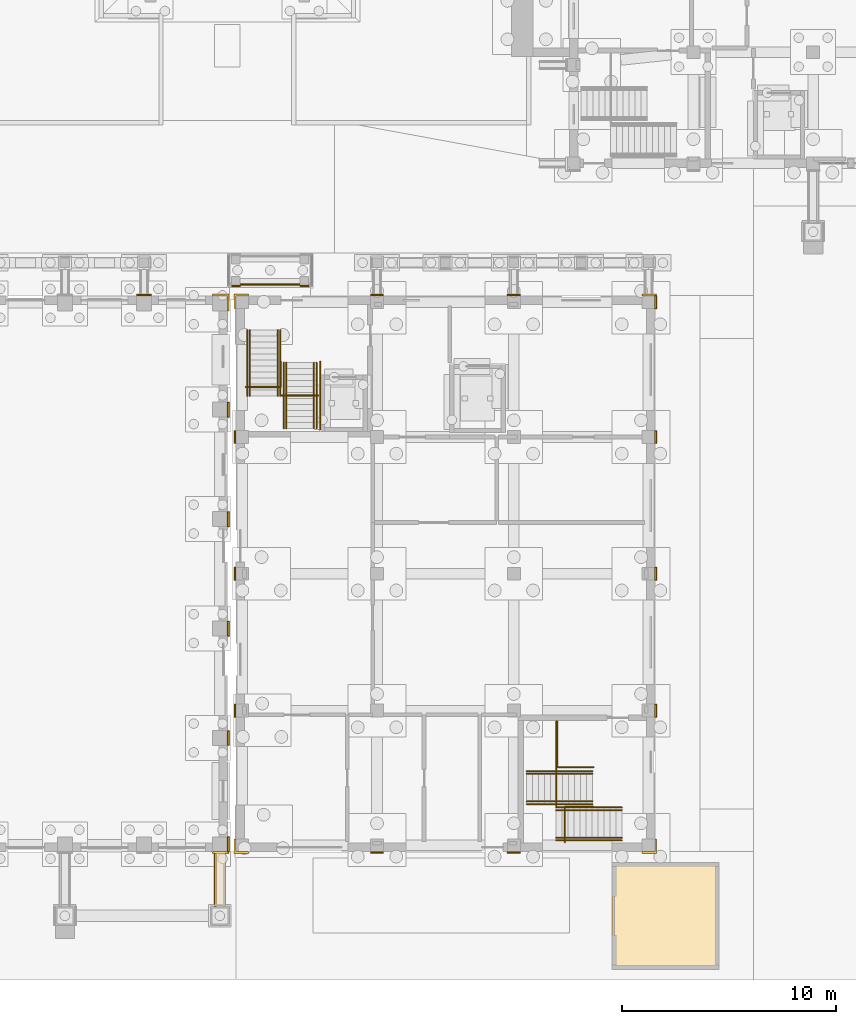
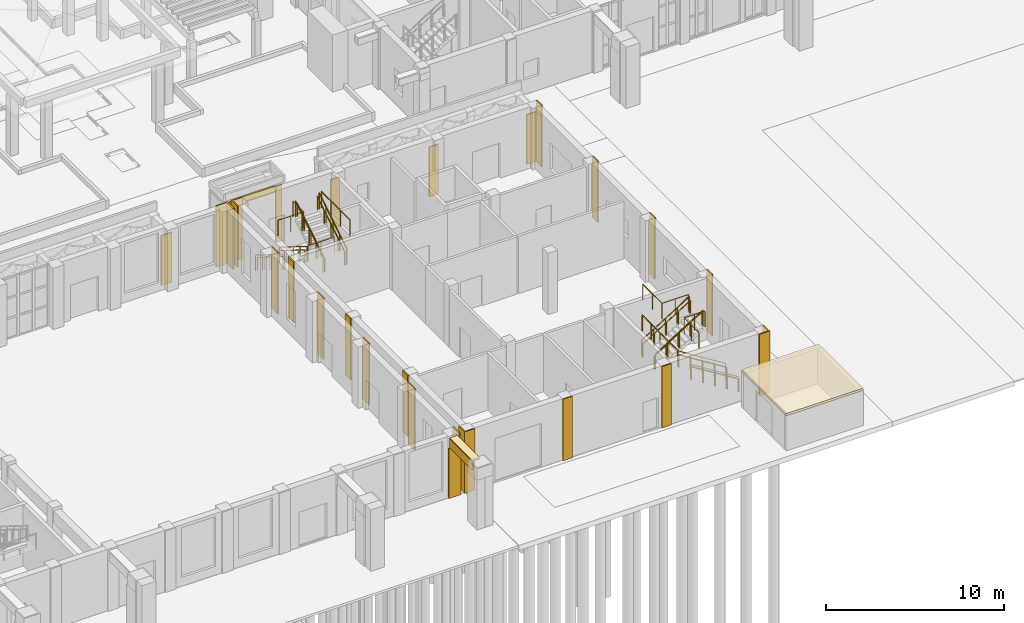
# One storey, part 97 of 112: 29 coverings, 22 railings.
"""IFC4 building model written with IfcOpenShell, lengths in metres."""

import ifcopenshell
import ifcopenshell.guid

model = None  # the IFC model being written
_history = None  # IfcOwnerHistory: only IFC2X3 demands one
_inside = {}  # id of a spatial element -> (the spatial element, [elements in it])
_under = {}  # id of a project, library or spatial element -> (it, [spatial elements below it])
_declared = {}  # id of a project -> (the project, [libraries it declares])
_typed = {}  # id of a type object -> (the type object, [elements of that type])
_made_of = {}  # id of a material, layer set ... -> (it, [elements and type objects made of it])


def new_model(schema):
    """Start an empty IFC model of exactly this schema.

    Asked for "IFC4X3", IfcOpenShell would pick the latest addendum, in which some entities
    have other attributes; the version numbers below select the first issue.
    IFC2X3 requires an IfcOwnerHistory on every rooted entity: one is made here for all.
    """
    global model, _history
    if schema == "IFC4X3":
        model = ifcopenshell.file(schema_version=(4, 3, 0, 0))
    else:
        model = ifcopenshell.file(schema=schema)
    _inside.clear()
    _under.clear()
    _declared.clear()
    _typed.clear()
    _made_of.clear()
    _history = None
    if model.schema == "IFC2X3":
        org = make("IfcOrganization", Name="unknown")
        user = make(
            "IfcPersonAndOrganization",
            ThePerson=make("IfcPerson", FamilyName="unknown"),
            TheOrganization=org,
        )
        app = make(
            "IfcApplication",
            ApplicationDeveloper=org,
            Version="unknown",
            ApplicationFullName="unknown",
            ApplicationIdentifier="unknown",
        )
        _history = make(
            "IfcOwnerHistory",
            OwningUser=user,
            OwningApplication=app,
            ChangeAction="ADDED",
            CreationDate=0,
        )
    return model


def make(cls, **values):
    """One entity of the class cls with the attributes given. An attribute that is None is left unset."""
    return model.create_entity(
        cls, **{name: value for name, value in values.items() if value is not None}
    )


def rooted(cls, **values):
    """An entity with a GlobalId (a new one), such as an element, a storey or a relation."""
    return make(cls, GlobalId=ifcopenshell.guid.new(), OwnerHistory=_history, **values)


def si_unit(unit_type, name, prefix=None):
    """IfcSIUnit, for example si_unit("LENGTHUNIT", "METRE", prefix="MILLI")."""
    return make("IfcSIUnit", UnitType=unit_type, Prefix=prefix, Name=name)


def assignment(units):
    """IfcUnitAssignment: the units of a project."""
    return None if units is None else make("IfcUnitAssignment", Units=units)


def point(xyz):
    """IfcCartesianPoint."""
    return None if xyz is None else make("IfcCartesianPoint", Coordinates=xyz)


def direction(xyz):
    """IfcDirection."""
    return None if xyz is None else make("IfcDirection", DirectionRatios=xyz)


def frame(location, z_axis=None, x_axis=None):
    """IfcAxis2Placement3D, a coordinate frame: its origin and axes. An axis left out is left unset."""
    return make(
        "IfcAxis2Placement3D",
        Location=point(location),
        Axis=direction(z_axis),
        RefDirection=direction(x_axis),
    )


def frame_2d(location, x_axis=None):
    """IfcAxis2Placement2D, a coordinate frame in the plane: its origin and x axis."""
    return make(
        "IfcAxis2Placement2D", Location=point(location), RefDirection=direction(x_axis)
    )


def origin():
    """The frame at (0, 0, 0) with its axes left unset."""
    return frame((0.0, 0.0, 0.0))


def origin_2d():
    """The frame at (0, 0) in the plane with its x axis left unset."""
    return frame_2d((0.0, 0.0))


def place(relative_to, where):
    """IfcLocalPlacement: puts the frame where relative to a parent placement (None: the world)."""
    return make(
        "IfcLocalPlacement", PlacementRelTo=relative_to, RelativePlacement=where
    )


def context(
    kind, dimensions, precision=None, world=None, true_north=None, identifier=None
):
    """IfcGeometricRepresentationContext, for example the 3D "Model" context."""
    return make(
        "IfcGeometricRepresentationContext",
        ContextIdentifier=identifier,
        ContextType=kind,
        CoordinateSpaceDimension=dimensions,
        Precision=precision,
        WorldCoordinateSystem=world,
        TrueNorth=true_north,
    )


def subcontext(parent, identifier, kind, view, scale=None):
    """IfcGeometricRepresentationSubContext, for example "Body" below "Model"."""
    return make(
        "IfcGeometricRepresentationSubContext",
        ContextIdentifier=identifier,
        ContextType=kind,
        ParentContext=parent,
        TargetScale=scale,
        TargetView=view,
    )


def project(units=None, contexts=None):
    """IfcProject with its units and contexts."""
    return rooted(
        "IfcProject",
        Name="project",
        RepresentationContexts=contexts,
        UnitsInContext=assignment(units),
    )


def spatial(cls, under=None, at=None, **own):
    """A site, building, storey or space (cls), placed at a placement, below another one or the project."""
    s = rooted(cls, ObjectPlacement=at, **own)
    if under is not None:
        _under.setdefault(under.id(), (under, []))[1].append(s)
    return s


def polyline(points):
    """IfcPolyline through the points."""
    return make("IfcPolyline", Points=[point(p) for p in points])


def profile(cls, at=None, kind="AREA", **sizes):
    """A parametric profile (cls). Its sizes go by their IFC names, for example OverallWidth=200.0."""
    return make(cls, ProfileType=kind, Position=at, **sizes)


def rectangle(**sizes):
    """IfcRectangleProfileDef."""
    return profile("IfcRectangleProfileDef", **sizes)


def circle(**sizes):
    """IfcCircleProfileDef."""
    return profile("IfcCircleProfileDef", **sizes)


def outline(outer, holes=None, kind="AREA"):
    """IfcArbitraryClosedProfileDef: a profile drawn as a closed curve; with holes, ...WithVoids."""
    if holes is None:
        return make("IfcArbitraryClosedProfileDef", ProfileType=kind, OuterCurve=outer)
    return make(
        "IfcArbitraryProfileDefWithVoids",
        ProfileType=kind,
        OuterCurve=outer,
        InnerCurves=holes,
    )


def extrude(swept, where, along, depth):
    """IfcExtrudedAreaSolid: the profile swept, set in the frame where, extruded along a direction by depth."""
    return make(
        "IfcExtrudedAreaSolid",
        SweptArea=swept,
        Position=where,
        ExtrudedDirection=direction(along),
        Depth=depth,
    )


def shape(context_of_items, identifier, shape_type, items):
    """IfcShapeRepresentation: the items that make up one representation, for example the "Body"."""
    return make(
        "IfcShapeRepresentation",
        ContextOfItems=context_of_items,
        RepresentationIdentifier=identifier,
        RepresentationType=shape_type,
        Items=items,
    )


def material(Name=None, Category=None):
    """IfcMaterial."""
    return make("IfcMaterial", Name=Name, Category=Category)


def layer(
    of_material, thickness, ventilated=None, Name=None, Category=None, Priority=None
):
    """IfcMaterialLayer: one layer of a wall or slab, of a material (None: an air gap)."""
    return make(
        "IfcMaterialLayer",
        Material=of_material,
        LayerThickness=thickness,
        IsVentilated=ventilated,
        Name=Name,
        Category=Category,
        Priority=Priority,
    )


def layer_set(layers, Name=None):
    """IfcMaterialLayerSet."""
    return make("IfcMaterialLayerSet", MaterialLayers=layers, LayerSetName=Name)


def made_of(thing, what):
    """Note that an element or type object is made of a material, layer set ...; save() writes the relation."""
    if what is not None:
        _made_of.setdefault(what.id(), (what, []))[1].append(thing)
    return thing


def type_object(cls, material=None, **own):
    """A type object (cls), such as IfcWallType, which elements share."""
    return made_of(rooted(cls, **own), material)


def element(
    cls,
    number,
    at=None,
    inside=None,
    cuts=None,
    type_object=None,
    material=None,
    context=None,
    identifier="Body",
    shape_type=None,
    held_by="IfcProductDefinitionShape",
    body=None,
    shapes=None,
    **own,
):
    """One element of the class cls, such as IfcWall. Its Tag is "e" and its number.

    at: its placement. inside: the storey or other place that contains it. cuts: it is an
    opening in that element (IfcRelVoidsElement). A single representation is given by context,
    identifier, shape_type and body (its items); several are given by shapes. held_by: the class
    of the entity that holds the representations. save() writes the other relations.
    """
    e = rooted(cls, Tag="e%d" % number, ObjectPlacement=at, **own)
    if body is not None:
        shapes = [shape(context, identifier, shape_type, body)]
    if shapes is not None:
        e.Representation = make(held_by, Representations=shapes)
    if inside is not None:
        _inside.setdefault(inside.id(), (inside, []))[1].append(e)
    if cuts is not None:
        rooted(
            "IfcRelVoidsElement", RelatingBuildingElement=cuts, RelatedOpeningElement=e
        )
    if type_object is not None:
        _typed.setdefault(type_object.id(), (type_object, []))[1].append(e)
    return made_of(e, material)


def aggregate(whole, parts):
    """IfcRelAggregates: a whole, such as a stair, and the parts it consists of."""
    return rooted("IfcRelAggregates", RelatingObject=whole, RelatedObjects=parts)


def save(model, path):
    """Write the relations noted so far, then the file.

    IfcRelAggregates (storeys below a building ...), IfcRelContainedInSpatialStructure (elements
    in a storey), IfcRelDefinesByType, IfcRelAssociatesMaterial and IfcRelDeclares: one each for
    every whole, place, type object, material and project.
    """
    for whole, parts in _under.values():
        aggregate(whole, parts)
    for where, things in _inside.values():
        rooted(
            "IfcRelContainedInSpatialStructure",
            RelatedElements=things,
            RelatingStructure=where,
        )
    for kind, things in _typed.values():
        rooted("IfcRelDefinesByType", RelatedObjects=things, RelatingType=kind)
    for what, things in _made_of.values():
        rooted("IfcRelAssociatesMaterial", RelatedObjects=things, RelatingMaterial=what)
    for by, libraries in _declared.values():
        rooted("IfcRelDeclares", RelatingContext=by, RelatedDefinitions=libraries)
    model.write(path)


model = new_model("IFC4")

# Units and contexts
model_context = context("Model", 3, precision=1e-05, world=origin(), true_north=direction((0.0, 1.0)))
body_context = subcontext(model_context, "Body", "Model", "MODEL_VIEW")
ifc_project = project(units=[si_unit("LENGTHUNIT", "METRE"), si_unit("AREAUNIT", "SQUARE_METRE"), si_unit("VOLUMEUNIT", "CUBIC_METRE"), si_unit("PLANEANGLEUNIT", "RADIAN"), si_unit("MASSUNIT", "GRAM", prefix="KILO")], contexts=[model_context])

# Site, building, storey
site_placement = place(None, origin())
site = spatial("IfcSite", under=ifc_project, at=site_placement, CompositionType="ELEMENT")
building_placement = place(site_placement, origin())
building = spatial("IfcBuilding", under=site, at=building_placement, Name="Wasatch Bagh Community Centre", CompositionType="ELEMENT")
storey_placement = place(building_placement, origin())
storey = spatial("IfcBuildingStorey", under=building, at=storey_placement, Name="L00", CompositionType="ELEMENT", Elevation=0.0)

# Coverings
ifc_material_1 = material(Name="Cast stone cladding", Category="masonry")
ifc_layer_1 = layer(ifc_material_1, 0.080078125)
ifc_layer_set_1 = layer_set([ifc_layer_1], Name="Cast stone cladding")
covering_type_1 = type_object("IfcCoveringType", Name="CL-B7 beam facing", PredefinedType="CLADDING", material=ifc_layer_set_1)
covering_1_placement = place(storey_placement, frame((0.0, 0.0, 3.39990234375)))
element("IfcCovering", 1, at=covering_1_placement, inside=storey, type_object=covering_type_1, Name="Beam facing", PredefinedType="CLADDING", context=body_context, shape_type="SweptSolid", body=[
    extrude(outline(polyline([(95.47509765625, 6.0), (95.47509765625, 3.449951171875), (95.39501953125, 3.449951171875), (95.39501953125, 6.0), (95.47509765625, 6.0)])), origin(), (0.0, 0.0, 1.0), 0.60009765625),
])
covering_2_placement = place(storey_placement, frame((0.0, 0.0, 4.0)))
element("IfcCovering", 2, at=covering_2_placement, inside=storey, type_object=covering_type_1, Name="Beam facing", PredefinedType="CLADDING", context=body_context, shape_type="SweptSolid", body=[
    extrude(outline(polyline([(95.39501953125, 6.0), (95.39501953125, 3.449951171875), (95.905029296875, 3.449951171875), (95.905029296875, 6.0), (95.39501953125, 6.0)])), origin(), (0.0, 0.0, 1.0), 0.080078125),
])
covering_3_placement = place(storey_placement, frame((0.0, 0.0, 3.389892578125)))
element("IfcCovering", 3, at=covering_3_placement, inside=storey, type_object=covering_type_1, Name="Beam facing", PredefinedType="CLADDING", context=body_context, shape_type="SweptSolid", body=[
    extrude(outline(polyline([(96.60009765625, 32.574951171875), (99.39990234375, 32.574951171875), (99.39990234375, 32.4951171875), (96.60009765625, 32.4951171875), (96.60009765625, 32.574951171875)])), origin(), (0.0, 0.0, 1.0), 0.4501953125),
])
ifc_layer_2 = layer(ifc_material_1, 0.080078125)
ifc_layer_set_2 = layer_set([ifc_layer_2], Name="Cast stone cladding")
covering_type_2 = type_object("IfcCoveringType", Name="CL-C1 column facing", PredefinedType="CLADDING", material=ifc_layer_set_2)
covering_4_placement = place(storey_placement, origin())
element("IfcCovering", 4, at=covering_4_placement, inside=storey, type_object=covering_type_2, Name="Column facing", PredefinedType="CLADDING", context=body_context, shape_type="SweptSolid", body=[
    extrude(outline(polyline([(96.0, 6.0), (96.0, 6.699951171875), (96.080078125, 6.699951171875), (96.080078125, 5.919921875), (95.300048828125, 5.919921875), (95.300048828125, 6.0), (96.0, 6.0)])), origin(), (0.0, 0.0, 1.0), 3.39990234375),
])
covering_5_placement = place(storey_placement, frame((0.0, 0.0, 3.39990234375)))
element("IfcCovering", 5, at=covering_5_placement, inside=storey, type_object=covering_type_2, Name="Column facing", PredefinedType="CLADDING", context=body_context, shape_type="SweptSolid", body=[
    extrude(outline(polyline([(96.0, 6.0), (96.0, 6.699951171875), (96.080078125, 6.699951171875), (96.080078125, 6.0), (96.0, 6.0)])), origin(), (0.0, 0.0, 1.0), 0.800048828125),
])
covering_6_placement = place(storey_placement, origin())
element("IfcCovering", 6, at=covering_6_placement, inside=storey, type_object=covering_type_2, Name="Column facing", PredefinedType="CLADDING", context=body_context, shape_type="SweptSolid", body=[
    extrude(outline(polyline([(92.449951171875, 32.0), (91.75, 32.0), (91.75, 32.080078125), (92.449951171875, 32.080078125), (92.449951171875, 32.0)])), origin(), (0.0, 0.0, 1.0), 3.39990234375),
])
covering_7_placement = place(storey_placement, frame((0.0, 0.0, 0.008056640625)))
element("IfcCovering", 7, at=covering_7_placement, inside=storey, type_object=covering_type_2, Name="Column facing", PredefinedType="CLADDING", context=body_context, shape_type="SweptSolid", body=[
    extrude(outline(polyline([(96.0, 32.0), (95.300048828125, 32.0), (95.300048828125, 32.080078125), (96.080078125, 32.080078125), (96.080078125, 31.300048828125), (96.0, 31.300048828125), (96.0, 32.0)])), origin(), (0.0, 0.0, 1.0), 4.19189453125),
])
covering_8_placement = place(storey_placement, origin())
element("IfcCovering", 8, at=covering_8_placement, inside=storey, type_object=covering_type_2, Name="Column facing", PredefinedType="CLADDING", context=body_context, shape_type="SweptSolid", body=[
    extrude(outline(polyline([(96.0, 10.969970703125), (96.0, 11.669921875), (96.080078125, 11.669921875), (96.080078125, 10.969970703125), (96.0, 10.969970703125)])), origin(), (0.0, 0.0, 1.0), 4.199951171875),
])
covering_9_placement = place(storey_placement, origin())
element("IfcCovering", 9, at=covering_9_placement, inside=storey, type_object=covering_type_2, Name="Column facing", PredefinedType="CLADDING", context=body_context, shape_type="SweptSolid", body=[
    extrude(outline(polyline([(96.0, 16.090087890625), (96.0, 16.7900390625), (96.080078125, 16.7900390625), (96.080078125, 16.090087890625), (96.0, 16.090087890625)])), origin(), (0.0, 0.0, 1.0), 4.199951171875),
])
covering_10_placement = place(storey_placement, origin())
element("IfcCovering", 10, at=covering_10_placement, inside=storey, type_object=covering_type_2, Name="Column facing", PredefinedType="CLADDING", context=body_context, shape_type="SweptSolid", body=[
    extrude(outline(polyline([(96.0, 21.2099609375), (96.0, 21.909912109375), (96.080078125, 21.909912109375), (96.080078125, 21.2099609375), (96.0, 21.2099609375)])), origin(), (0.0, 0.0, 1.0), 4.199951171875),
])
covering_11_placement = place(storey_placement, origin())
element("IfcCovering", 11, at=covering_11_placement, inside=storey, type_object=covering_type_2, Name="Column facing", PredefinedType="CLADDING", context=body_context, shape_type="SweptSolid", body=[
    extrude(outline(polyline([(96.0, 26.330078125), (96.0, 27.030029296875), (96.080078125, 27.030029296875), (96.080078125, 26.330078125), (96.0, 26.330078125)])), origin(), (0.0, 0.0, 1.0), 4.199951171875),
])
covering_12_placement = place(storey_placement, origin())
element("IfcCovering", 12, at=covering_12_placement, inside=storey, type_object=covering_type_2, Name="Column facing", PredefinedType="CLADDING", context=body_context, shape_type="SweptSolid", body=[
    extrude(outline(polyline([(96.320068359375, 5.919921875), (96.320068359375, 6.60009765625), (96.39990234375, 6.60009765625), (96.39990234375, 6.0), (97.0, 6.0), (97.0, 5.919921875), (96.320068359375, 5.919921875)])), origin(), (0.0, 0.0, 1.0), 4.199951171875),
])
covering_13_placement = place(storey_placement, origin())
element("IfcCovering", 13, at=covering_13_placement, inside=storey, type_object=covering_type_2, Name="Column facing", PredefinedType="CLADDING", context=body_context, shape_type="SweptSolid", body=[
    extrude(outline(polyline([(96.39990234375, 12.89990234375), (96.39990234375, 12.300048828125), (96.320068359375, 12.300048828125), (96.320068359375, 12.89990234375), (96.39990234375, 12.89990234375)])), origin(), (0.0, 0.0, 1.0), 4.199951171875),
])
covering_14_placement = place(storey_placement, origin())
element("IfcCovering", 14, at=covering_14_placement, inside=storey, type_object=covering_type_2, Name="Column facing", PredefinedType="CLADDING", context=body_context, shape_type="SweptSolid", body=[
    extrude(outline(polyline([(96.39990234375, 19.300048828125), (96.39990234375, 18.699951171875), (96.320068359375, 18.699951171875), (96.320068359375, 19.300048828125), (96.39990234375, 19.300048828125)])), origin(), (0.0, 0.0, 1.0), 4.199951171875),
])
covering_15_placement = place(storey_placement, origin())
element("IfcCovering", 15, at=covering_15_placement, inside=storey, type_object=covering_type_2, Name="Column facing", PredefinedType="CLADDING", context=body_context, shape_type="SweptSolid", body=[
    extrude(outline(polyline([(96.39990234375, 25.699951171875), (96.39990234375, 25.10009765625), (96.320068359375, 25.10009765625), (96.320068359375, 25.699951171875), (96.39990234375, 25.699951171875)])), origin(), (0.0, 0.0, 1.0), 4.199951171875),
])
covering_16_placement = place(storey_placement, frame((0.0, 0.0, 0.008056640625)))
element("IfcCovering", 16, at=covering_16_placement, inside=storey, type_object=covering_type_2, Name="Column facing", PredefinedType="CLADDING", context=body_context, shape_type="SweptSolid", body=[
    extrude(outline(polyline([(96.39990234375, 31.39990234375), (96.320068359375, 31.39990234375), (96.320068359375, 32.080078125), (97.0, 32.080078125), (97.0, 32.0), (96.39990234375, 32.0), (96.39990234375, 31.39990234375)])), origin(), (0.0, 0.0, 1.0), 4.19189453125),
])
covering_17_placement = place(storey_placement, origin())
element("IfcCovering", 17, at=covering_17_placement, inside=storey, type_object=covering_type_2, Name="Column facing", PredefinedType="CLADDING", context=body_context, shape_type="SweptSolid", body=[
    extrude(outline(polyline([(102.699951171875, 6.0), (103.300048828125, 6.0), (103.300048828125, 5.919921875), (102.699951171875, 5.919921875), (102.699951171875, 6.0)])), origin(), (0.0, 0.0, 1.0), 4.199951171875),
])
covering_18_placement = place(storey_placement, origin())
element("IfcCovering", 18, at=covering_18_placement, inside=storey, type_object=covering_type_2, Name="Column facing", PredefinedType="CLADDING", context=body_context, shape_type="SweptSolid", body=[
    extrude(outline(polyline([(103.300048828125, 32.0), (102.699951171875, 32.0), (102.699951171875, 32.080078125), (103.300048828125, 32.080078125), (103.300048828125, 32.0)])), origin(), (0.0, 0.0, 1.0), 3.39990234375),
])
covering_19_placement = place(storey_placement, origin())
element("IfcCovering", 19, at=covering_19_placement, inside=storey, type_object=covering_type_2, Name="Column facing", PredefinedType="CLADDING", context=body_context, shape_type="SweptSolid", body=[
    extrude(outline(polyline([(109.10009765625, 6.0), (109.699951171875, 6.0), (109.699951171875, 5.919921875), (109.10009765625, 5.919921875), (109.10009765625, 6.0)])), origin(), (0.0, 0.0, 1.0), 4.199951171875),
])
covering_20_placement = place(storey_placement, origin())
element("IfcCovering", 20, at=covering_20_placement, inside=storey, type_object=covering_type_2, Name="Column facing", PredefinedType="CLADDING", context=body_context, shape_type="SweptSolid", body=[
    extrude(outline(polyline([(109.699951171875, 32.0), (109.10009765625, 32.0), (109.10009765625, 32.080078125), (109.699951171875, 32.080078125), (109.699951171875, 32.0)])), origin(), (0.0, 0.0, 1.0), 3.39990234375),
])
covering_21_placement = place(storey_placement, origin())
element("IfcCovering", 21, at=covering_21_placement, inside=storey, type_object=covering_type_2, Name="Column facing", PredefinedType="CLADDING", context=body_context, shape_type="SweptSolid", body=[
    extrude(outline(polyline([(116.0, 6.0), (116.0, 6.60009765625), (116.080078125, 6.60009765625), (116.080078125, 5.919921875), (115.39990234375, 5.919921875), (115.39990234375, 6.0), (116.0, 6.0)])), origin(), (0.0, 0.0, 1.0), 4.199951171875),
])
covering_22_placement = place(storey_placement, origin())
element("IfcCovering", 22, at=covering_22_placement, inside=storey, type_object=covering_type_2, Name="Column facing", PredefinedType="CLADDING", context=body_context, shape_type="SweptSolid", body=[
    extrude(outline(polyline([(116.0, 12.300048828125), (116.0, 12.89990234375), (116.080078125, 12.89990234375), (116.080078125, 12.300048828125), (116.0, 12.300048828125)])), origin(), (0.0, 0.0, 1.0), 4.199951171875),
])
covering_23_placement = place(storey_placement, origin())
element("IfcCovering", 23, at=covering_23_placement, inside=storey, type_object=covering_type_2, Name="Column facing", PredefinedType="CLADDING", context=body_context, shape_type="SweptSolid", body=[
    extrude(outline(polyline([(116.0, 18.699951171875), (116.0, 19.300048828125), (116.080078125, 19.300048828125), (116.080078125, 18.699951171875), (116.0, 18.699951171875)])), origin(), (0.0, 0.0, 1.0), 4.199951171875),
])
covering_24_placement = place(storey_placement, origin())
element("IfcCovering", 24, at=covering_24_placement, inside=storey, type_object=covering_type_2, Name="Column facing", PredefinedType="CLADDING", context=body_context, shape_type="SweptSolid", body=[
    extrude(outline(polyline([(116.0, 25.10009765625), (116.0, 25.699951171875), (116.080078125, 25.699951171875), (116.080078125, 25.10009765625), (116.0, 25.10009765625)])), origin(), (0.0, 0.0, 1.0), 4.199951171875),
])
covering_25_placement = place(storey_placement, origin())
element("IfcCovering", 25, at=covering_25_placement, inside=storey, type_object=covering_type_2, Name="Column facing", PredefinedType="CLADDING", context=body_context, shape_type="SweptSolid", body=[
    extrude(outline(polyline([(116.0, 32.0), (115.39990234375, 32.0), (115.39990234375, 32.080078125), (116.080078125, 32.080078125), (116.080078125, 31.39990234375), (116.0, 31.39990234375), (116.0, 32.0)])), origin(), (0.0, 0.0, 1.0), 3.39990234375),
])
covering_26_placement = place(storey_placement, frame((0.0, 0.0, 3.39990234375)))
element("IfcCovering", 26, at=covering_26_placement, inside=storey, type_object=covering_type_2, Name="Column facing", PredefinedType="CLADDING", context=body_context, shape_type="SweptSolid", body=[
    extrude(outline(polyline([(116.0, 31.39990234375), (116.0, 32.0), (116.080078125, 32.0), (116.080078125, 31.39990234375), (116.0, 31.39990234375)])), origin(), (0.0, 0.0, 1.0), 0.800048828125),
])
covering_27_placement = place(storey_placement, frame((0.0, 0.0, 0.008056640625)))
element("IfcCovering", 27, at=covering_27_placement, inside=storey, type_object=covering_type_2, Name="Column facing", PredefinedType="CLADDING", context=body_context, shape_type="SweptSolid", body=[
    extrude(outline(polyline([(96.199951171875, 32.5), (96.60009765625, 32.5), (96.60009765625, 32.419921875), (96.199951171875, 32.419921875), (96.199951171875, 32.5)])), origin(), (0.0, 0.0, 1.0), 3.83203125),
])
covering_28_placement = place(storey_placement, frame((0.0, 0.0, 0.008056640625)))
element("IfcCovering", 28, at=covering_28_placement, inside=storey, type_object=covering_type_2, Name="Column facing", PredefinedType="CLADDING", context=body_context, shape_type="SweptSolid", body=[
    extrude(outline(polyline([(99.39990234375, 32.5), (99.800048828125, 32.5), (99.800048828125, 32.419921875), (99.39990234375, 32.419921875), (99.39990234375, 32.5)])), origin(), (0.0, 0.0, 1.0), 3.83203125),
])

# Railings
ifc_material_2 = material(Name="ASTM A36 steel", Category="steel")
railing_type_1 = type_object("IfcRailingType", Name="KW guard", PredefinedType="GUARDRAIL", material=ifc_material_2)
for number, where, name in (
    (29, (98.469970703125, 30.39990234375, 0.175048828125), "GUARD ST4"),
    (30, (96.929931640625, 30.39990234375, 0.175048828125), "GUARD ST4"),
):
    element("IfcRailing", number, at=place(storey_placement, frame(where)), inside=storey, type_object=railing_type_1, Name=name, PredefinedType="GUARDRAIL", context=body_context, shape_type="SweptSolid", body=[
        extrude(circle(Radius=0.02392578125, at=origin_2d()), frame((0.0, 0.0, 1.076171875), z_axis=(0.0, -0.847979421464, 0.530029150871), x_axis=(1.0, 0.0, 0.0)), (0.0, 0.0, 1.0), 3.632080078125),
        extrude(circle(Radius=0.02099609375, at=origin_2d()), origin(), (0.0, 0.0, 1.0), 1.052001953125),
        extrude(circle(Radius=0.02099609375, at=origin_2d()), frame((0.0, -0.77001953125, 0.481201171875)), (0.0, 0.0, 1.0), 1.052001953125),
        extrude(circle(Radius=0.02099609375, at=origin_2d()), frame((0.0, -1.5400390625, 0.96240234375)), (0.0, 0.0, 1.0), 1.052001953125),
        extrude(circle(Radius=0.02099609375, at=origin_2d()), frame((0.0, -2.309814453125, 1.44384765625)), (0.0, 0.0, 1.0), 1.052001953125),
        extrude(circle(Radius=0.02099609375, at=origin_2d()), frame((0.0, -3.079833984375, 1.925048828125)), (0.0, 0.0, 1.0), 1.052001953125),
    ])
for number, where, name in (
    (31, (98.6298828125, 25.800048828125, 2.27490234375), "GUARD ST4"),
    (32, (100.169921875, 25.800048828125, 2.27490234375), "GUARD ST4"),
):
    element("IfcRailing", number, at=place(storey_placement, frame(where)), inside=storey, type_object=railing_type_1, Name=name, PredefinedType="GUARDRAIL", context=body_context, shape_type="SweptSolid", body=[
        extrude(circle(Radius=0.02392578125, at=origin_2d()), frame((0.0, 0.0, 1.076171875), z_axis=(0.0, 0.847979421464, 0.530029150871), x_axis=(-1.0, 0.0, 0.0)), (0.0, 0.0, 1.0), 3.632080078125),
        extrude(circle(Radius=0.02099609375, at=origin_2d()), origin(), (0.0, 0.0, 1.0), 1.052001953125),
        extrude(circle(Radius=0.02099609375, at=origin_2d()), frame((0.0, 0.77001953125, 0.481201171875)), (0.0, 0.0, 1.0), 1.052001953125),
        extrude(circle(Radius=0.02099609375, at=origin_2d()), frame((0.0, 1.5400390625, 0.96240234375)), (0.0, 0.0, 1.0), 1.052001953125),
        extrude(circle(Radius=0.02099609375, at=origin_2d()), frame((0.0, 2.309814453125, 1.44384765625)), (0.0, 0.0, 1.0), 1.052001953125),
        extrude(circle(Radius=0.02099609375, at=origin_2d()), frame((0.0, 3.079833984375, 1.925048828125)), (0.0, 0.0, 1.0), 1.052001953125),
    ])
railing_1_placement = place(storey_placement, frame((98.550048828125, 27.340087890625, 2.10009765625)))
element("IfcRailing", 33, at=railing_1_placement, inside=storey, type_object=railing_type_1, Name="GUARD ST4", PredefinedType="GUARDRAIL", context=body_context, shape_type="SweptSolid", body=[
    extrude(circle(Radius=0.02392578125, at=origin_2d()), frame((0.0, 0.0, 1.076171875), z_axis=(1.0, 0.0, 0.0), x_axis=(0.0, 1.0, 0.0)), (0.0, 0.0, 1.0), 1.699951171875),
    extrude(circle(Radius=0.02099609375, at=origin_2d()), origin(), (0.0, 0.0, 1.0), 1.052001953125),
    extrude(circle(Radius=0.02099609375, at=origin_2d()), frame((0.85009765625, 0.0, 0.0)), (0.0, 0.0, 1.0), 1.052001953125),
    extrude(circle(Radius=0.02099609375, at=origin_2d()), frame((1.699951171875, 0.0, 0.0)), (0.0, 0.0, 1.0), 1.052001953125),
])
railing_2_placement = place(storey_placement, frame((96.85009765625, 27.738037109375, 4.199951171875)))
element("IfcRailing", 34, at=railing_2_placement, inside=storey, type_object=railing_type_1, Name="GUARD ST4", PredefinedType="GUARDRAIL", context=body_context, shape_type="SweptSolid", body=[
    extrude(circle(Radius=0.02392578125, at=origin_2d()), frame((0.0, 0.0, 1.076171875), z_axis=(1.0, 0.0, 0.0), x_axis=(0.0, 1.0, 0.0)), (0.0, 0.0, 1.0), 1.64990234375),
    extrude(circle(Radius=0.02392578125, at=origin_2d()), frame((1.64990234375, 0.0, 1.076171875), z_axis=(0.0, 1.0, 0.0), x_axis=(-1.0, 0.0, 0.0)), (0.0, 0.0, 1.0), 1.19189453125),
    extrude(circle(Radius=0.02099609375, at=origin_2d()), origin(), (0.0, 0.0, 1.0), 1.052001953125),
    extrude(circle(Radius=0.02099609375, at=origin_2d()), frame((0.824951171875, 0.0, 0.0)), (0.0, 0.0, 1.0), 1.052001953125),
    extrude(circle(Radius=0.02099609375, at=origin_2d()), frame((1.64990234375, 0.0, 0.0)), (0.0, 0.0, 1.0), 1.052001953125),
    extrude(circle(Radius=0.02099609375, at=origin_2d()), frame((1.64990234375, 1.19189453125, 0.0)), (0.0, 0.0, 1.0), 1.052001953125),
])
railing_3_placement = place(storey_placement, frame((100.35009765625, 28.929931640625, 4.199951171875)))
element("IfcRailing", 35, at=railing_3_placement, inside=storey, type_object=railing_type_1, Name="GUARD ST4", PredefinedType="GUARDRAIL", context=body_context, shape_type="SweptSolid", body=[
    extrude(circle(Radius=0.02392578125, at=origin_2d()), frame((0.0, 0.0, 1.076171875), z_axis=(0.0, -1.0, 0.0), x_axis=(1.0, 0.0, 0.0)), (0.0, 0.0, 1.0), 3.179931640625),
    extrude(circle(Radius=0.02099609375, at=origin_2d()), origin(), (0.0, 0.0, 1.0), 1.052001953125),
    extrude(circle(Radius=0.02099609375, at=origin_2d()), frame((0.0, -1.06005859375, 0.0)), (0.0, 0.0, 1.0), 1.052001953125),
    extrude(circle(Radius=0.02099609375, at=origin_2d()), frame((0.0, -2.119873046875, 0.0)), (0.0, 0.0, 1.0), 1.052001953125),
    extrude(circle(Radius=0.02099609375, at=origin_2d()), frame((0.0, -3.179931640625, 0.0)), (0.0, 0.0, 1.0), 1.052001953125),
])
for number, where, name in (
    (36, (114.449951171875, 6.530029296875, 0.175048828125), "GUARD ST5"),
    (37, (114.449951171875, 8.070068359375, 0.175048828125), "GUARD ST5"),
):
    element("IfcRailing", number, at=place(storey_placement, frame(where)), inside=storey, type_object=railing_type_1, Name=name, PredefinedType="GUARDRAIL", context=body_context, shape_type="SweptSolid", body=[
        extrude(circle(Radius=0.02392578125, at=origin_2d()), frame((0.0, 0.0, 1.076171875), z_axis=(-0.847979421464, 0.0, 0.530029150871), x_axis=(0.0, -1.0, 0.0)), (0.0, 0.0, 1.0), 3.632080078125),
        extrude(circle(Radius=0.02099609375, at=origin_2d()), origin(), (0.0, 0.0, 1.0), 1.052001953125),
        extrude(circle(Radius=0.02099609375, at=origin_2d()), frame((-0.77001953125, 0.0, 0.481201171875)), (0.0, 0.0, 1.0), 1.052001953125),
        extrude(circle(Radius=0.02099609375, at=origin_2d()), frame((-1.5400390625, 0.0, 0.96240234375)), (0.0, 0.0, 1.0), 1.052001953125),
        extrude(circle(Radius=0.02099609375, at=origin_2d()), frame((-2.309814453125, 0.0, 1.44384765625)), (0.0, 0.0, 1.0), 1.052001953125),
        extrude(circle(Radius=0.02099609375, at=origin_2d()), frame((-3.079833984375, 0.0, 1.925048828125)), (0.0, 0.0, 1.0), 1.052001953125),
    ])
for number, where, name in (
    (38, (110.0, 9.77001953125, 2.27490234375), "GUARD ST5"),
    (39, (110.0, 8.22998046875, 2.27490234375), "GUARD ST5"),
):
    element("IfcRailing", number, at=place(storey_placement, frame(where)), inside=storey, type_object=railing_type_1, Name=name, PredefinedType="GUARDRAIL", context=body_context, shape_type="SweptSolid", body=[
        extrude(circle(Radius=0.02392578125, at=origin_2d()), frame((0.0, 0.0, 1.076171875), z_axis=(0.847998304005, 0.0, 0.529998940003), x_axis=(0.0, 1.0, 0.0)), (0.0, 0.0, 1.0), 3.632080078125),
        extrude(circle(Radius=0.02099609375, at=origin_2d()), origin(), (0.0, 0.0, 1.0), 1.052001953125),
        extrude(circle(Radius=0.02099609375, at=origin_2d()), frame((0.77001953125, 0.0, 0.481201171875)), (0.0, 0.0, 1.0), 1.052001953125),
        extrude(circle(Radius=0.02099609375, at=origin_2d()), frame((1.5400390625, 0.0, 0.96240234375)), (0.0, 0.0, 1.0), 1.052001953125),
        extrude(circle(Radius=0.02099609375, at=origin_2d()), frame((2.31005859375, 0.0, 1.44384765625)), (0.0, 0.0, 1.0), 1.052001953125),
        extrude(circle(Radius=0.02099609375, at=origin_2d()), frame((3.080078125, 0.0, 1.925048828125)), (0.0, 0.0, 1.0), 1.052001953125),
    ])
railing_4_placement = place(storey_placement, frame((111.389892578125, 8.14990234375, 2.10009765625)))
element("IfcRailing", 40, at=railing_4_placement, inside=storey, type_object=railing_type_1, Name="GUARD ST5", PredefinedType="GUARDRAIL", context=body_context, shape_type="SweptSolid", body=[
    extrude(circle(Radius=0.02392578125, at=origin_2d()), frame((0.0, 0.0, 1.076171875), z_axis=(0.0, 1.0, 0.0), x_axis=(-1.0, 0.0, 0.0)), (0.0, 0.0, 1.0), 3.9501953125),
    extrude(circle(Radius=0.02099609375, at=origin_2d()), origin(), (0.0, 0.0, 1.0), 1.052001953125),
    extrude(circle(Radius=0.02099609375, at=origin_2d()), frame((0.0, 0.987548828125, 0.0)), (0.0, 0.0, 1.0), 1.052001953125),
    extrude(circle(Radius=0.02099609375, at=origin_2d()), frame((0.0, 1.97509765625, 0.0)), (0.0, 0.0, 1.0), 1.052001953125),
    extrude(circle(Radius=0.02099609375, at=origin_2d()), frame((0.0, 2.962646484375, 0.0)), (0.0, 0.0, 1.0), 1.052001953125),
    extrude(circle(Radius=0.02099609375, at=origin_2d()), frame((0.0, 3.9501953125, 0.0)), (0.0, 0.0, 1.0), 1.052001953125),
])
railing_5_placement = place(storey_placement, frame((111.7880859375, 6.449951171875, 4.199951171875)))
element("IfcRailing", 41, at=railing_5_placement, inside=storey, type_object=railing_type_1, Name="GUARD ST5", PredefinedType="GUARDRAIL", context=body_context, shape_type="SweptSolid", body=[
    extrude(circle(Radius=0.02392578125, at=origin_2d()), frame((0.0, 0.0, 1.076171875), z_axis=(0.0, 1.0, 0.0), x_axis=(-1.0, 0.0, 0.0)), (0.0, 0.0, 1.0), 1.650146484375),
    extrude(circle(Radius=0.02392578125, at=origin_2d()), frame((0.0, 1.650146484375, 1.076171875), z_axis=(1.0, 0.0, 0.0), x_axis=(0.0, 1.0, 0.0)), (0.0, 0.0, 1.0), 1.341796875),
    extrude(circle(Radius=0.02099609375, at=origin_2d()), origin(), (0.0, 0.0, 1.0), 1.052001953125),
    extrude(circle(Radius=0.02099609375, at=origin_2d()), frame((0.0, 0.8251953125, 0.0)), (0.0, 0.0, 1.0), 1.052001953125),
    extrude(circle(Radius=0.02099609375, at=origin_2d()), frame((0.0, 1.650146484375, 0.0)), (0.0, 0.0, 1.0), 1.052001953125),
    extrude(circle(Radius=0.02099609375, at=origin_2d()), frame((0.6708984375, 1.650146484375, 0.0)), (0.0, 0.0, 1.0), 1.052001953125),
    extrude(circle(Radius=0.02099609375, at=origin_2d()), frame((1.341796875, 1.650146484375, 0.0)), (0.0, 0.0, 1.0), 1.052001953125),
])
railing_6_placement = place(storey_placement, frame((111.419921875, 12.10009765625, 4.199951171875)))
element("IfcRailing", 42, at=railing_6_placement, inside=storey, type_object=railing_type_1, Name="GUARD ST5", PredefinedType="GUARDRAIL", context=body_context, shape_type="SweptSolid", body=[
    extrude(circle(Radius=0.02392578125, at=origin_2d()), frame((0.0, 0.0, 1.076171875), z_axis=(0.0, -1.0, 0.0), x_axis=(1.0, 0.0, 0.0)), (0.0, 0.0, 1.0), 2.150146484375),
    extrude(circle(Radius=0.02392578125, at=origin_2d()), frame((0.0, -2.150146484375, 1.076171875), z_axis=(1.0, 0.0, 0.0), x_axis=(0.0, 1.0, 0.0)), (0.0, 0.0, 1.0), 1.7099609375),
    extrude(circle(Radius=0.02099609375, at=origin_2d()), origin(), (0.0, 0.0, 1.0), 1.052001953125),
    extrude(circle(Radius=0.02099609375, at=origin_2d()), frame((0.0, -1.0751953125, 0.0)), (0.0, 0.0, 1.0), 1.052001953125),
    extrude(circle(Radius=0.02099609375, at=origin_2d()), frame((0.0, -2.150146484375, 0.0)), (0.0, 0.0, 1.0), 1.052001953125),
    extrude(circle(Radius=0.02099609375, at=origin_2d()), frame((0.85498046875, -2.150146484375, 0.0)), (0.0, 0.0, 1.0), 1.052001953125),
    extrude(circle(Radius=0.02099609375, at=origin_2d()), frame((1.7099609375, -2.150146484375, 0.0)), (0.0, 0.0, 1.0), 1.052001953125),
])
railing_type_2 = type_object("IfcRailingType", Name="KW handrail", PredefinedType="HANDRAIL", material=ifc_material_2)
for number, where, name in (
    (43, (98.35009765625, 30.39990234375, 0.175048828125), "HANDRAIL ST4"),
    (44, (97.050048828125, 30.39990234375, 0.175048828125), "HANDRAIL ST4"),
):
    element("IfcRailing", number, at=place(storey_placement, frame(where)), inside=storey, type_object=railing_type_2, Name=name, PredefinedType="HANDRAIL", context=body_context, shape_type="SweptSolid", body=[
        extrude(circle(Radius=0.02392578125, at=origin_2d()), frame((0.0, 0.0, 0.8759765625), z_axis=(0.0, -0.847979421464, 0.530029150871), x_axis=(1.0, 0.0, 0.0)), (0.0, 0.0, 1.0), 3.632080078125),
        extrude(circle(Radius=0.02099609375, at=origin_2d()), origin(), (0.0, 0.0, 1.0), 0.851806640625),
        extrude(circle(Radius=0.02099609375, at=origin_2d()), frame((0.0, -0.77001953125, 0.481201171875)), (0.0, 0.0, 1.0), 0.851806640625),
        extrude(circle(Radius=0.02099609375, at=origin_2d()), frame((0.0, -1.5400390625, 0.96240234375)), (0.0, 0.0, 1.0), 0.851806640625),
        extrude(circle(Radius=0.02099609375, at=origin_2d()), frame((0.0, -2.309814453125, 1.44384765625)), (0.0, 0.0, 1.0), 0.851806640625),
        extrude(circle(Radius=0.02099609375, at=origin_2d()), frame((0.0, -3.079833984375, 1.925048828125)), (0.0, 0.0, 1.0), 0.851806640625),
    ])
for number, where, name in (
    (45, (98.75, 25.800048828125, 2.27490234375), "HANDRAIL ST4"),
    (46, (100.050048828125, 25.800048828125, 2.27490234375), "HANDRAIL ST4"),
):
    element("IfcRailing", number, at=place(storey_placement, frame(where)), inside=storey, type_object=railing_type_2, Name=name, PredefinedType="HANDRAIL", context=body_context, shape_type="SweptSolid", body=[
        extrude(circle(Radius=0.02392578125, at=origin_2d()), frame((0.0, 0.0, 0.8759765625), z_axis=(0.0, 0.847979421464, 0.530029150871), x_axis=(-1.0, 0.0, 0.0)), (0.0, 0.0, 1.0), 3.632080078125),
        extrude(circle(Radius=0.02099609375, at=origin_2d()), origin(), (0.0, 0.0, 1.0), 0.851806640625),
        extrude(circle(Radius=0.02099609375, at=origin_2d()), frame((0.0, 0.77001953125, 0.481201171875)), (0.0, 0.0, 1.0), 0.851806640625),
        extrude(circle(Radius=0.02099609375, at=origin_2d()), frame((0.0, 1.5400390625, 0.96240234375)), (0.0, 0.0, 1.0), 0.851806640625),
        extrude(circle(Radius=0.02099609375, at=origin_2d()), frame((0.0, 2.309814453125, 1.44384765625)), (0.0, 0.0, 1.0), 0.851806640625),
        extrude(circle(Radius=0.02099609375, at=origin_2d()), frame((0.0, 3.079833984375, 1.925048828125)), (0.0, 0.0, 1.0), 0.851806640625),
    ])
for number, where, name in (
    (47, (114.449951171875, 6.64990234375, 0.175048828125), "HANDRAIL ST5"),
    (48, (114.449951171875, 7.949951171875, 0.175048828125), "HANDRAIL ST5"),
):
    element("IfcRailing", number, at=place(storey_placement, frame(where)), inside=storey, type_object=railing_type_2, Name=name, PredefinedType="HANDRAIL", context=body_context, shape_type="SweptSolid", body=[
        extrude(circle(Radius=0.02392578125, at=origin_2d()), frame((0.0, 0.0, 0.8759765625), z_axis=(-0.847979421464, 0.0, 0.530029150871), x_axis=(0.0, -1.0, 0.0)), (0.0, 0.0, 1.0), 3.632080078125),
        extrude(circle(Radius=0.02099609375, at=origin_2d()), origin(), (0.0, 0.0, 1.0), 0.851806640625),
        extrude(circle(Radius=0.02099609375, at=origin_2d()), frame((-0.77001953125, 0.0, 0.481201171875)), (0.0, 0.0, 1.0), 0.851806640625),
        extrude(circle(Radius=0.02099609375, at=origin_2d()), frame((-1.5400390625, 0.0, 0.96240234375)), (0.0, 0.0, 1.0), 0.851806640625),
        extrude(circle(Radius=0.02099609375, at=origin_2d()), frame((-2.309814453125, 0.0, 1.44384765625)), (0.0, 0.0, 1.0), 0.851806640625),
        extrude(circle(Radius=0.02099609375, at=origin_2d()), frame((-3.079833984375, 0.0, 1.925048828125)), (0.0, 0.0, 1.0), 0.851806640625),
    ])
for number, where, name in (
    (49, (110.0, 9.64990234375, 2.27490234375), "HANDRAIL ST5"),
    (50, (110.0, 8.35009765625, 2.27490234375), "HANDRAIL ST5"),
):
    element("IfcRailing", number, at=place(storey_placement, frame(where)), inside=storey, type_object=railing_type_2, Name=name, PredefinedType="HANDRAIL", context=body_context, shape_type="SweptSolid", body=[
        extrude(circle(Radius=0.02392578125, at=origin_2d()), frame((0.0, 0.0, 0.8759765625), z_axis=(0.847998304005, 0.0, 0.529998940003), x_axis=(0.0, 1.0, 0.0)), (0.0, 0.0, 1.0), 3.632080078125),
        extrude(circle(Radius=0.02099609375, at=origin_2d()), origin(), (0.0, 0.0, 1.0), 0.851806640625),
        extrude(circle(Radius=0.02099609375, at=origin_2d()), frame((0.77001953125, 0.0, 0.481201171875)), (0.0, 0.0, 1.0), 0.851806640625),
        extrude(circle(Radius=0.02099609375, at=origin_2d()), frame((1.5400390625, 0.0, 0.96240234375)), (0.0, 0.0, 1.0), 0.851806640625),
        extrude(circle(Radius=0.02099609375, at=origin_2d()), frame((2.31005859375, 0.0, 1.44384765625)), (0.0, 0.0, 1.0), 0.851806640625),
        extrude(circle(Radius=0.02099609375, at=origin_2d()), frame((3.080078125, 0.0, 1.925048828125)), (0.0, 0.0, 1.0), 0.851806640625),
    ])

# Covering
ifc_material_3 = material(Name="Concrete C35", Category="concrete")
ifc_layer_3 = layer(ifc_material_3, 0.14990234375)
ifc_layer_set_3 = layer_set([ifc_layer_3], Name="Concrete C35")
covering_type_3 = type_object("IfcCoveringType", Name="Refuse store roof 150", PredefinedType="ROOFING", material=ifc_layer_set_3)
covering_29_placement = place(storey_placement, frame((116.5, 3.0, 2.400146484375), z_axis=(0.0, 0.0, 1.0), x_axis=(1.0, 0.0, 0.0)))
element("IfcCovering", 51, at=covering_29_placement, inside=storey, type_object=covering_type_3, Name="Refuse store roof", PredefinedType="ROOFING", context=body_context, shape_type="SweptSolid", body=[
    extrude(rectangle(XDim=5.0, YDim=5.0, at=origin_2d()), origin(), (0.0, 0.0, 1.0), 0.14990234375),
])

save(model, "model.ifc")
